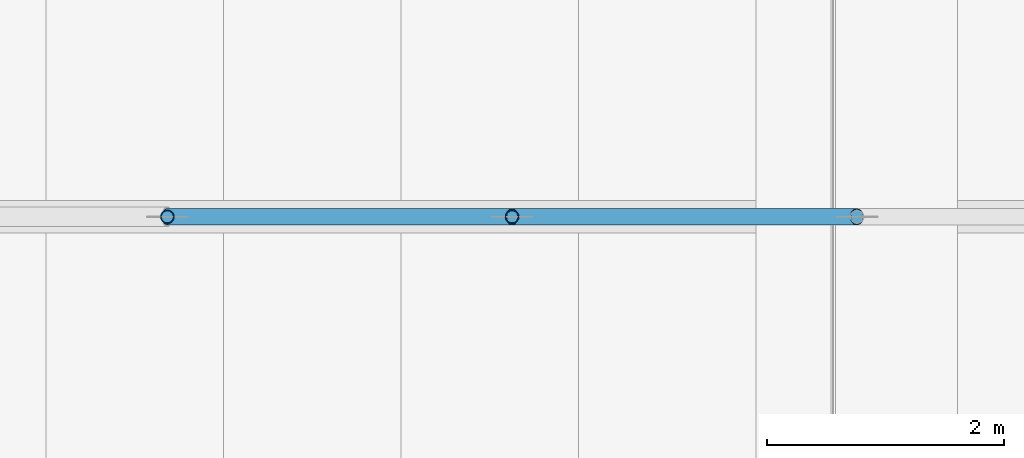
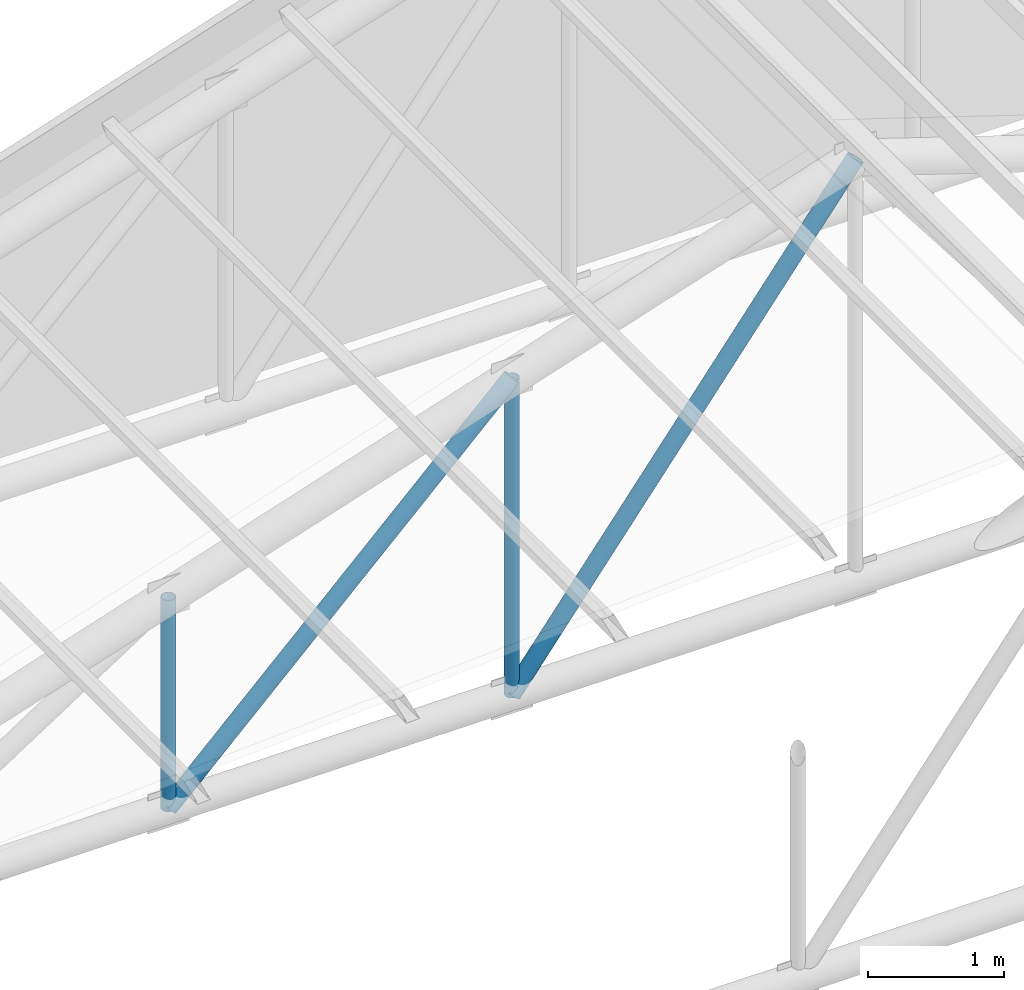
# One storey, part 50 of 95: 4 members.
"""IFC4 building model written with IfcOpenShell, lengths in metres."""

from ifc_helpers import new_model, si_unit, direction, frame, origin, origin_2d, place, context, subcontext, project, spatial, hollow_circle, extrude, material, material_profile, profile_set, type_object, element, save


model = new_model("IFC4")

# Units and contexts
model_context = context("Model", 3, precision=1e-05, world=origin(), true_north=direction((0.0, 1.0)))
body_context = subcontext(model_context, "Body", "Model", "MODEL_VIEW")
ifc_project = project(units=[si_unit("LENGTHUNIT", "METRE"), si_unit("AREAUNIT", "SQUARE_METRE"), si_unit("VOLUMEUNIT", "CUBIC_METRE"), si_unit("PLANEANGLEUNIT", "RADIAN"), si_unit("MASSUNIT", "GRAM", prefix="KILO")], contexts=[model_context])

# Site, building, storey
site_placement = place(None, origin())
site = spatial("IfcSite", under=ifc_project, at=site_placement, CompositionType="ELEMENT")
building_placement = place(site_placement, origin())
building = spatial("IfcBuilding", under=site, at=building_placement, Name="Kiln Court Media Centre", CompositionType="ELEMENT")
storey_placement = place(building_placement, frame((0.0, 0.0, 24.60009765625)))
storey = spatial("IfcBuildingStorey", under=building, at=storey_placement, Name="L05", CompositionType="ELEMENT", Elevation=24.60009765625)

# Members
ifc_material_1 = material(Name="Steel ASTM A500 Gr C", Category="steel")
ifc_material_profile_1 = material_profile(ifc_material_1, hollow_circle(Radius=0.05712890625, WallThickness=0.0048828125, at=origin_2d()), Name="CHS 114.3x5.0")
ifc_profile_set_1 = profile_set([ifc_material_profile_1], Name="Steel ASTM A500 Gr C")
member_type_1 = type_object("IfcMemberType", Name="Steel ASTM A500 Gr C CHS 114.3x5.0 truss web", PredefinedType="BRACE", material=ifc_profile_set_1)
member_1_placement = place(storey_placement, frame((40.574951171875, 63.0, -0.013916015625), z_axis=(0.0, 0.0, 1.0), x_axis=(1.0, 0.0, 0.0)))
element("IfcMember", 1, at=member_1_placement, inside=storey, type_object=member_type_1, Name="foyer truss FT-10 post 2 truss web", PredefinedType="BRACE", context=body_context, shape_type="SweptSolid", body=[
    extrude(hollow_circle(Radius=0.05712890625, WallThickness=0.0048828125, at=origin_2d()), origin(), (0.0, 0.0, 1.0), 1.892822265625),
])
member_2_placement = place(storey_placement, frame((43.487548828125, 63.0, -0.013916015625), z_axis=(0.0, 0.0, 1.0), x_axis=(1.0, 0.0, 0.0)))
element("IfcMember", 2, at=member_2_placement, inside=storey, type_object=member_type_1, Name="foyer truss FT-10 post 3 truss web", PredefinedType="BRACE", context=body_context, shape_type="SweptSolid", body=[
    extrude(hollow_circle(Radius=0.05712890625, WallThickness=0.0048828125, at=origin_2d()), origin(), (0.0, 0.0, 1.0), 2.839111328125),
])
ifc_material_2 = material(Name="Steel ASTM A500 Gr C", Category="steel")
ifc_material_profile_2 = material_profile(ifc_material_2, hollow_circle(Radius=0.06982421875, WallThickness=0.0048828125, at=origin_2d()), Name="CHS 139.7x5.0")
ifc_profile_set_2 = profile_set([ifc_material_profile_2], Name="Steel ASTM A500 Gr C")
member_type_2 = type_object("IfcMemberType", Name="Steel ASTM A500 Gr C CHS 139.7x5.0 truss web", PredefinedType="BRACE", material=ifc_profile_set_2)
member_3_placement = place(storey_placement, frame((40.574951171875, 63.0, -0.013916015625), z_axis=(0.716082640751, 0.0, 0.69801550958), x_axis=(0.0, 1.0, 0.0)))
element("IfcMember", 3, at=member_3_placement, inside=storey, type_object=member_type_2, Name="foyer truss FT-10 diagonal 3 truss web", PredefinedType="BRACE", context=body_context, shape_type="SweptSolid", body=[
    extrude(hollow_circle(Radius=0.06982421875, WallThickness=0.0048828125, at=origin_2d()), origin(), (0.0, 0.0, 1.0), 4.0673828125),
])
member_4_placement = place(storey_placement, frame((43.487548828125, 63.0, -0.013916015625), z_axis=(0.609777458127, 0.0, 0.79257267904), x_axis=(0.0, 1.0, 0.0)))
element("IfcMember", 4, at=member_4_placement, inside=storey, type_object=member_type_2, Name="foyer truss FT-10 diagonal 4 truss web", PredefinedType="BRACE", context=body_context, shape_type="SweptSolid", body=[
    extrude(hollow_circle(Radius=0.06982421875, WallThickness=0.0048828125, at=origin_2d()), origin(), (0.0, 0.0, 1.0), 4.776123046875),
])

save(model, "model.ifc")
